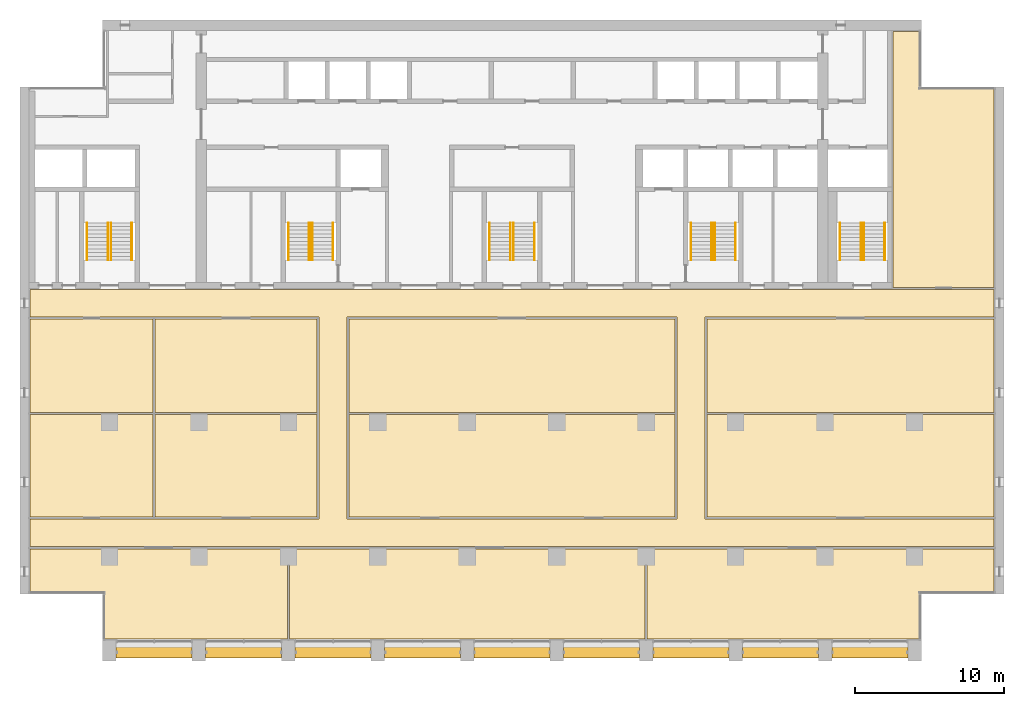
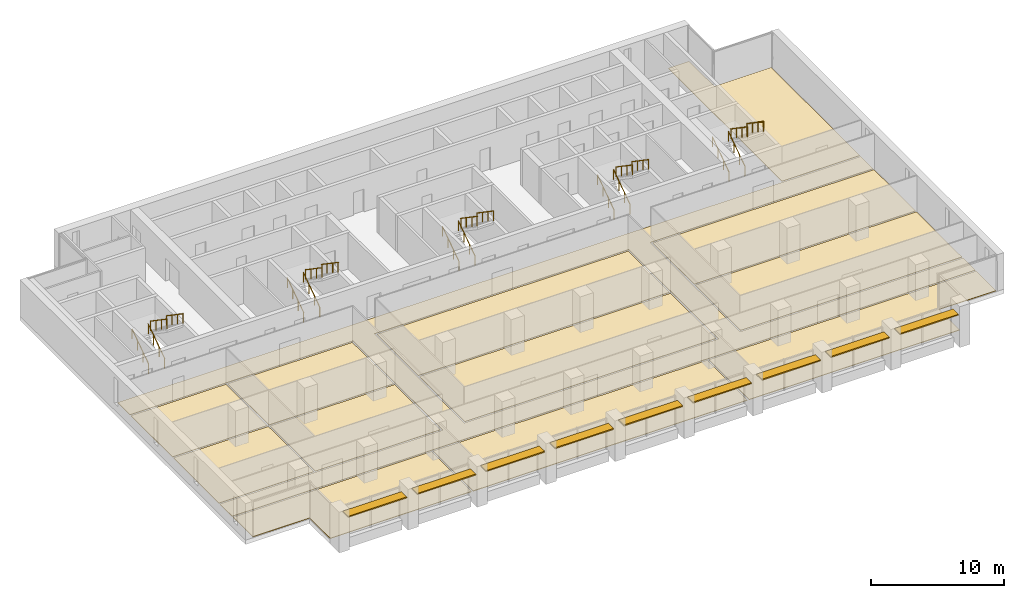
# One storey, part 16 of 16: 20 railings, 13 coverings, 9 shading devices, 5 elements without a shape of their own.
"""IFC4 building model written with IfcOpenShell, lengths in metres."""

from ifc_helpers import new_model, si_unit, direction, frame, origin, origin_2d, place, context, subcontext, project, spatial, polyline, rectangle, circle, outline, extrude, material, layer, layer_set, material_profile, profile_set, type_object, element, aggregate, save


model = new_model("IFC4")

# Units and contexts
model_context = context("Model", 3, precision=1e-05, world=origin(), true_north=direction((0.0, 1.0)))
body_context = subcontext(model_context, "Body", "Model", "MODEL_VIEW")
ifc_project = project(units=[si_unit("LENGTHUNIT", "METRE"), si_unit("AREAUNIT", "SQUARE_METRE"), si_unit("VOLUMEUNIT", "CUBIC_METRE"), si_unit("PLANEANGLEUNIT", "RADIAN"), si_unit("MASSUNIT", "GRAM", prefix="KILO")], contexts=[model_context])

# Site, building, storey
site_placement = place(None, origin())
site = spatial("IfcSite", under=ifc_project, at=site_placement, CompositionType="ELEMENT")
building_placement = place(site_placement, origin())
building = spatial("IfcBuilding", under=site, at=building_placement, Name="Calvaro Tower", CompositionType="ELEMENT")
storey_placement = place(building_placement, frame((0.0, 0.0, 181.75)))
storey = spatial("IfcBuildingStorey", under=building, at=storey_placement, Name="L45", CompositionType="ELEMENT", Elevation=181.75)

# Shading devices
ifc_material_1 = material(Name="Anodised aluminium", Category="aluminium")
ifc_material_profile = material_profile(ifc_material_1, rectangle(XDim=0.800048828125, YDim=0.10009765625, at=origin_2d()), Name="Brise-soleil blade 800 x 100")
ifc_profile_set = profile_set([ifc_material_profile], Name="Anodised aluminium")
shading_device_type = type_object("IfcShadingDeviceType", Name="Brise-soleil blade 800 x 100", PredefinedType="JALOUSIE", material=ifc_profile_set)
for number, where, z_axis, x_axis, name in (
    (1, (12.449951171875, 3.60009765625, 2.5), (1.0, 0.0, 0.0), (0.0, 1.0, 0.0), "Brise-soleil blade 1"),
    (2, (18.449951171875, 3.60009765625, 2.5), (1.0, 0.0, 0.0), (0.0, 1.0, 0.0), "Brise-soleil blade 2"),
    (3, (24.449951171875, 3.60009765625, 2.5), (1.0, 0.0, 0.0), (0.0, 1.0, 0.0), "Brise-soleil blade 3"),
    (4, (30.449951171875, 3.60009765625, 2.5), (1.0, 0.0, 0.0), (0.0, 1.0, 0.0), "Brise-soleil blade 4"),
    (5, (36.449951171875, 3.60009765625, 2.5), (1.0, 0.0, 0.0), (0.0, 1.0, 0.0), "Brise-soleil blade 5"),
    (6, (42.449951171875, 3.60009765625, 2.5), (1.0, 0.0, 0.0), (0.0, 1.0, 0.0), "Brise-soleil blade 6"),
    (7, (48.449951171875, 3.60009765625, 2.5), (1.0, 0.0, 0.0), (0.0, 1.0, 0.0), "Brise-soleil blade 7"),
    (8, (54.449951171875, 3.60009765625, 2.5), (1.0, 0.0, 0.0), (0.0, 1.0, 0.0), "Brise-soleil blade 8"),
    (9, (60.449951171875, 3.60009765625, 2.5), (1.0, 0.0, 0.0), (0.0, 1.0, 0.0), "Brise-soleil blade 9"),
):
    element("IfcShadingDevice", number, at=place(storey_placement, frame(where, z_axis=z_axis, x_axis=x_axis)), inside=storey, type_object=shading_device_type, Name=name, PredefinedType="JALOUSIE", context=body_context, shape_type="SweptSolid", body=[
        extrude(rectangle(XDim=0.800048828125, YDim=0.10009765625, at=origin_2d()), origin(), (0.0, 0.0, 1.0), 5.10009765625),
    ])

# Coverings
ifc_material_2 = material(Name="Cement screed with carpet tile finish")
ifc_layer = layer(ifc_material_2, 0.050048828125)
ifc_layer_set = layer_set([ifc_layer], Name="Cement screed with carpet tile finish")
covering_type = type_object("IfcCoveringType", Name="Floor finish 50", PredefinedType="FLOORING", material=ifc_layer_set)
covering_1_placement = place(storey_placement, origin())
element("IfcCovering", 10, at=covering_1_placement, inside=storey, type_object=covering_type, Name="Floor finish 26.01", PredefinedType="FLOORING", context=body_context, shape_type="SweptSolid", body=[
    extrude(outline(polyline([(6.669921875, 10.669921875), (6.669921875, 12.530029296875), (26.070068359375, 12.530029296875), (26.070068359375, 26.070068359375), (6.669921875, 26.070068359375), (6.669921875, 27.929931640625), (71.330078125, 27.929931640625), (71.330078125, 26.070068359375), (51.929931640625, 26.070068359375), (51.929931640625, 12.530029296875), (71.330078125, 12.530029296875), (71.330078125, 10.669921875), (6.669921875, 10.669921875)]), holes=[polyline([(50.070068359375, 12.530029296875), (50.070068359375, 26.070068359375), (27.929931640625, 26.070068359375), (27.929931640625, 12.530029296875), (50.070068359375, 12.530029296875)])]), origin(), (0.0, 0.0, 1.0), 0.050048828125),
])
covering_2_placement = place(storey_placement, origin())
element("IfcCovering", 11, at=covering_2_placement, inside=storey, type_object=covering_type, Name="Floor finish 26.04", PredefinedType="FLOORING", context=body_context, shape_type="SweptSolid", body=[
    extrude(outline(polyline([(23.929931640625, 10.530029296875), (23.929931640625, 4.469970703125), (11.6201171875, 4.469970703125), (11.6201171875, 7.570068359375), (6.669921875, 7.570068359375), (6.669921875, 10.530029296875), (23.929931640625, 10.530029296875)])), origin(), (0.0, 0.0, 1.0), 0.050048828125),
])
covering_3_placement = place(storey_placement, origin())
element("IfcCovering", 12, at=covering_3_placement, inside=storey, type_object=covering_type, Name="Floor finish 26.02", PredefinedType="FLOORING", context=body_context, shape_type="SweptSolid", body=[
    extrude(outline(polyline([(24.070068359375, 10.530029296875), (47.929931640625, 10.530029296875), (47.929931640625, 4.469970703125), (24.070068359375, 4.469970703125), (24.070068359375, 10.530029296875)])), origin(), (0.0, 0.0, 1.0), 0.050048828125),
])
covering_4_placement = place(storey_placement, origin())
element("IfcCovering", 13, at=covering_4_placement, inside=storey, type_object=covering_type, Name="Floor finish 26.03", PredefinedType="FLOORING", context=body_context, shape_type="SweptSolid", body=[
    extrude(outline(polyline([(71.330078125, 7.570068359375), (66.3798828125, 7.570068359375), (66.3798828125, 4.469970703125), (48.070068359375, 4.469970703125), (48.070068359375, 10.530029296875), (71.330078125, 10.530029296875), (71.330078125, 7.570068359375)])), origin(), (0.0, 0.0, 1.0), 0.050048828125),
])
covering_5_placement = place(storey_placement, origin())
element("IfcCovering", 14, at=covering_5_placement, inside=storey, type_object=covering_type, Name="Floor finish 26.05", PredefinedType="FLOORING", context=body_context, shape_type="SweptSolid", body=[
    extrude(outline(polyline([(14.929931640625, 19.530029296875), (14.929931640625, 12.669921875), (6.669921875, 12.669921875), (6.669921875, 19.530029296875), (14.929931640625, 19.530029296875)])), origin(), (0.0, 0.0, 1.0), 0.050048828125),
])
covering_6_placement = place(storey_placement, origin())
element("IfcCovering", 15, at=covering_6_placement, inside=storey, type_object=covering_type, Name="Floor finish 26.06", PredefinedType="FLOORING", context=body_context, shape_type="SweptSolid", body=[
    extrude(outline(polyline([(15.070068359375, 12.669921875), (15.070068359375, 19.530029296875), (25.929931640625, 19.530029296875), (25.929931640625, 12.669921875), (15.070068359375, 12.669921875)])), origin(), (0.0, 0.0, 1.0), 0.050048828125),
])
covering_7_placement = place(storey_placement, origin())
element("IfcCovering", 16, at=covering_7_placement, inside=storey, type_object=covering_type, Name="Floor finish 26.09", PredefinedType="FLOORING", context=body_context, shape_type="SweptSolid", body=[
    extrude(outline(polyline([(14.929931640625, 25.929931640625), (14.929931640625, 19.669921875), (6.669921875, 19.669921875), (6.669921875, 25.929931640625), (14.929931640625, 25.929931640625)])), origin(), (0.0, 0.0, 1.0), 0.050048828125),
])
covering_8_placement = place(storey_placement, origin())
element("IfcCovering", 17, at=covering_8_placement, inside=storey, type_object=covering_type, Name="Floor finish 26.10", PredefinedType="FLOORING", context=body_context, shape_type="SweptSolid", body=[
    extrude(outline(polyline([(15.070068359375, 19.669921875), (15.070068359375, 25.929931640625), (25.929931640625, 25.929931640625), (25.929931640625, 19.669921875), (15.070068359375, 19.669921875)])), origin(), (0.0, 0.0, 1.0), 0.050048828125),
])
covering_9_placement = place(storey_placement, origin())
element("IfcCovering", 18, at=covering_9_placement, inside=storey, type_object=covering_type, Name="Floor finish 26.07", PredefinedType="FLOORING", context=body_context, shape_type="SweptSolid", body=[
    extrude(outline(polyline([(28.070068359375, 12.669921875), (28.070068359375, 19.530029296875), (49.929931640625, 19.530029296875), (49.929931640625, 12.669921875), (28.070068359375, 12.669921875)])), origin(), (0.0, 0.0, 1.0), 0.050048828125),
])
covering_10_placement = place(storey_placement, origin())
element("IfcCovering", 19, at=covering_10_placement, inside=storey, type_object=covering_type, Name="Floor finish 26.11", PredefinedType="FLOORING", context=body_context, shape_type="SweptSolid", body=[
    extrude(outline(polyline([(28.070068359375, 19.669921875), (28.070068359375, 25.929931640625), (49.929931640625, 25.929931640625), (49.929931640625, 19.669921875), (28.070068359375, 19.669921875)])), origin(), (0.0, 0.0, 1.0), 0.050048828125),
])
covering_11_placement = place(storey_placement, origin())
element("IfcCovering", 20, at=covering_11_placement, inside=storey, type_object=covering_type, Name="Floor finish 26.08", PredefinedType="FLOORING", context=body_context, shape_type="SweptSolid", body=[
    extrude(outline(polyline([(71.330078125, 12.669921875), (52.070068359375, 12.669921875), (52.070068359375, 19.530029296875), (71.330078125, 19.530029296875), (71.330078125, 12.669921875)])), origin(), (0.0, 0.0, 1.0), 0.050048828125),
])
covering_12_placement = place(storey_placement, origin())
element("IfcCovering", 21, at=covering_12_placement, inside=storey, type_object=covering_type, Name="Floor finish 26.12", PredefinedType="FLOORING", context=body_context, shape_type="SweptSolid", body=[
    extrude(outline(polyline([(71.330078125, 19.669921875), (52.070068359375, 19.669921875), (52.070068359375, 25.929931640625), (71.330078125, 25.929931640625), (71.330078125, 19.669921875)])), origin(), (0.0, 0.0, 1.0), 0.050048828125),
])
covering_13_placement = place(storey_placement, origin())
element("IfcCovering", 22, at=covering_13_placement, inside=storey, type_object=covering_type, Name="Floor finish 26.13", PredefinedType="FLOORING", context=body_context, shape_type="SweptSolid", body=[
    extrude(outline(polyline([(71.330078125, 28.070068359375), (64.570068359375, 28.070068359375), (64.570068359375, 45.22998046875), (66.3798828125, 45.22998046875), (66.3798828125, 41.429931640625), (71.330078125, 41.429931640625), (71.330078125, 28.070068359375)])), origin(), (0.0, 0.0, 1.0), 0.050048828125),
])

# Stair, railings
ifc_material_3 = material(Name="Concrete C40/50", Category="concrete")
stair_type = type_object("IfcStairType", Name="Exit stair 1400 2 flights", PredefinedType="HALF_TURN_STAIR", material=ifc_material_3)
stair_1_placement = place(storey_placement, origin())
stair_1 = element("IfcStair", 23, at=stair_1_placement, inside=storey, type_object=stair_type, Name="Exit stair S1", PredefinedType="HALF_TURN_STAIR")
ifc_material_4 = material(Name="Stainless steel", Category="steel")
railing_type = type_object("IfcRailingType", Name="Stair handrail", PredefinedType="HANDRAIL", material=ifc_material_4)
railing_1_placement = place(storey_placement, frame((11.89990234375, 29.89990234375, 0.17041015625)))
railing_1 = element("IfcRailing", 24, at=railing_1_placement, type_object=railing_type, Name="Exit stair 1 handrail", PredefinedType="HANDRAIL", context=body_context, shape_type="SweptSolid", body=[
    extrude(circle(Radius=0.02392578125, at=origin_2d()), frame((0.0, 0.0, 0.8759765625), z_axis=(0.0, 0.826220514629, 0.563346839174), x_axis=(-1.0, 0.0, 0.0)), (0.0, 0.0, 1.0), 3.02587890625),
    extrude(circle(Radius=0.02099609375, at=origin_2d()), frame((0.0, 0.017333984375, 0.01171875)), (0.0, 0.0, 1.0), 0.851806640625),
    extrude(circle(Radius=0.02099609375, at=origin_2d()), frame((0.0, 0.833251953125, 0.568115234375)), (0.0, 0.0, 1.0), 0.851806640625),
    extrude(circle(Radius=0.02099609375, at=origin_2d()), frame((0.0, 1.666748046875, 1.136474609375)), (0.0, 0.0, 1.0), 0.851806640625),
    extrude(circle(Radius=0.02099609375, at=origin_2d()), frame((0.0, 2.482666015625, 1.69287109375)), (0.0, 0.0, 1.0), 0.851806640625),
])
railing_2_placement = place(storey_placement, frame((10.5, 29.89990234375, 0.17041015625)))
railing_2 = element("IfcRailing", 25, at=railing_2_placement, type_object=railing_type, Name="Exit stair 1 handrail", PredefinedType="HANDRAIL", context=body_context, shape_type="SweptSolid", body=[
    extrude(circle(Radius=0.02392578125, at=origin_2d()), frame((0.0, 0.0, 0.8759765625), z_axis=(0.0, 0.826220514629, 0.563346839174), x_axis=(-1.0, 0.0, 0.0)), (0.0, 0.0, 1.0), 3.02587890625),
    extrude(circle(Radius=0.02099609375, at=origin_2d()), frame((0.0, 0.017333984375, 0.01171875)), (0.0, 0.0, 1.0), 0.851806640625),
    extrude(circle(Radius=0.02099609375, at=origin_2d()), frame((0.0, 0.833251953125, 0.568115234375)), (0.0, 0.0, 1.0), 0.851806640625),
    extrude(circle(Radius=0.02099609375, at=origin_2d()), frame((0.0, 1.666748046875, 1.136474609375)), (0.0, 0.0, 1.0), 0.851806640625),
    extrude(circle(Radius=0.02099609375, at=origin_2d()), frame((0.0, 2.482666015625, 1.69287109375)), (0.0, 0.0, 1.0), 0.851806640625),
])
railing_3_placement = place(storey_placement, frame((12.10009765625, 32.39990234375, 2.04541015625)))
railing_3 = element("IfcRailing", 26, at=railing_3_placement, type_object=railing_type, Name="Exit stair 1 handrail", PredefinedType="HANDRAIL", context=body_context, shape_type="SweptSolid", body=[
    extrude(circle(Radius=0.02392578125, at=origin_2d()), frame((0.0, 0.0, 0.8759765625), z_axis=(0.0, -0.826220514629, 0.563346839174), x_axis=(1.0, 0.0, 0.0)), (0.0, 0.0, 1.0), 3.02587890625),
    extrude(circle(Radius=0.02099609375, at=origin_2d()), frame((0.0, -0.017333984375, 0.01171875)), (0.0, 0.0, 1.0), 0.851806640625),
    extrude(circle(Radius=0.02099609375, at=origin_2d()), frame((0.0, -0.833251953125, 0.568115234375)), (0.0, 0.0, 1.0), 0.851806640625),
    extrude(circle(Radius=0.02099609375, at=origin_2d()), frame((0.0, -1.666748046875, 1.136474609375)), (0.0, 0.0, 1.0), 0.851806640625),
    extrude(circle(Radius=0.02099609375, at=origin_2d()), frame((0.0, -2.482666015625, 1.69287109375)), (0.0, 0.0, 1.0), 0.851806640625),
])
railing_4_placement = place(storey_placement, frame((13.5, 32.39990234375, 2.04541015625)))
railing_4 = element("IfcRailing", 27, at=railing_4_placement, type_object=railing_type, Name="Exit stair 1 handrail", PredefinedType="HANDRAIL", context=body_context, shape_type="SweptSolid", body=[
    extrude(circle(Radius=0.02392578125, at=origin_2d()), frame((0.0, 0.0, 0.8759765625), z_axis=(0.0, -0.826220514629, 0.563346839174), x_axis=(1.0, 0.0, 0.0)), (0.0, 0.0, 1.0), 3.02587890625),
    extrude(circle(Radius=0.02099609375, at=origin_2d()), frame((0.0, -0.017333984375, 0.01171875)), (0.0, 0.0, 1.0), 0.851806640625),
    extrude(circle(Radius=0.02099609375, at=origin_2d()), frame((0.0, -0.833251953125, 0.568115234375)), (0.0, 0.0, 1.0), 0.851806640625),
    extrude(circle(Radius=0.02099609375, at=origin_2d()), frame((0.0, -1.666748046875, 1.136474609375)), (0.0, 0.0, 1.0), 0.851806640625),
    extrude(circle(Radius=0.02099609375, at=origin_2d()), frame((0.0, -2.482666015625, 1.69287109375)), (0.0, 0.0, 1.0), 0.851806640625),
])
aggregate(stair_1, [railing_1, railing_2, railing_3, railing_4])

stair_2_placement = place(storey_placement, origin())
stair_2 = element("IfcStair", 28, at=stair_2_placement, inside=storey, type_object=stair_type, Name="Exit stair S2", PredefinedType="HALF_TURN_STAIR")
railing_5_placement = place(storey_placement, frame((25.39990234375, 29.89990234375, 0.17041015625)))
railing_5 = element("IfcRailing", 29, at=railing_5_placement, type_object=railing_type, Name="Exit stair 2 handrail", PredefinedType="HANDRAIL", context=body_context, shape_type="SweptSolid", body=[
    extrude(circle(Radius=0.02392578125, at=origin_2d()), frame((0.0, 0.0, 0.8759765625), z_axis=(0.0, 0.826220514629, 0.563346839174), x_axis=(-1.0, 0.0, 0.0)), (0.0, 0.0, 1.0), 3.02587890625),
    extrude(circle(Radius=0.02099609375, at=origin_2d()), frame((0.0, 0.017333984375, 0.01171875)), (0.0, 0.0, 1.0), 0.851806640625),
    extrude(circle(Radius=0.02099609375, at=origin_2d()), frame((0.0, 0.833251953125, 0.568115234375)), (0.0, 0.0, 1.0), 0.851806640625),
    extrude(circle(Radius=0.02099609375, at=origin_2d()), frame((0.0, 1.666748046875, 1.136474609375)), (0.0, 0.0, 1.0), 0.851806640625),
    extrude(circle(Radius=0.02099609375, at=origin_2d()), frame((0.0, 2.482666015625, 1.69287109375)), (0.0, 0.0, 1.0), 0.851806640625),
])
railing_6_placement = place(storey_placement, frame((24.0, 29.89990234375, 0.17041015625)))
railing_6 = element("IfcRailing", 30, at=railing_6_placement, type_object=railing_type, Name="Exit stair 2 handrail", PredefinedType="HANDRAIL", context=body_context, shape_type="SweptSolid", body=[
    extrude(circle(Radius=0.02392578125, at=origin_2d()), frame((0.0, 0.0, 0.8759765625), z_axis=(0.0, 0.826220514629, 0.563346839174), x_axis=(-1.0, 0.0, 0.0)), (0.0, 0.0, 1.0), 3.02587890625),
    extrude(circle(Radius=0.02099609375, at=origin_2d()), frame((0.0, 0.017333984375, 0.01171875)), (0.0, 0.0, 1.0), 0.851806640625),
    extrude(circle(Radius=0.02099609375, at=origin_2d()), frame((0.0, 0.833251953125, 0.568115234375)), (0.0, 0.0, 1.0), 0.851806640625),
    extrude(circle(Radius=0.02099609375, at=origin_2d()), frame((0.0, 1.666748046875, 1.136474609375)), (0.0, 0.0, 1.0), 0.851806640625),
    extrude(circle(Radius=0.02099609375, at=origin_2d()), frame((0.0, 2.482666015625, 1.69287109375)), (0.0, 0.0, 1.0), 0.851806640625),
])
railing_7_placement = place(storey_placement, frame((25.60009765625, 32.39990234375, 2.04541015625)))
railing_7 = element("IfcRailing", 31, at=railing_7_placement, type_object=railing_type, Name="Exit stair 2 handrail", PredefinedType="HANDRAIL", context=body_context, shape_type="SweptSolid", body=[
    extrude(circle(Radius=0.02392578125, at=origin_2d()), frame((0.0, 0.0, 0.8759765625), z_axis=(0.0, -0.826220514629, 0.563346839174), x_axis=(1.0, 0.0, 0.0)), (0.0, 0.0, 1.0), 3.02587890625),
    extrude(circle(Radius=0.02099609375, at=origin_2d()), frame((0.0, -0.017333984375, 0.01171875)), (0.0, 0.0, 1.0), 0.851806640625),
    extrude(circle(Radius=0.02099609375, at=origin_2d()), frame((0.0, -0.833251953125, 0.568115234375)), (0.0, 0.0, 1.0), 0.851806640625),
    extrude(circle(Radius=0.02099609375, at=origin_2d()), frame((0.0, -1.666748046875, 1.136474609375)), (0.0, 0.0, 1.0), 0.851806640625),
    extrude(circle(Radius=0.02099609375, at=origin_2d()), frame((0.0, -2.482666015625, 1.69287109375)), (0.0, 0.0, 1.0), 0.851806640625),
])
railing_8_placement = place(storey_placement, frame((27.0, 32.39990234375, 2.04541015625)))
railing_8 = element("IfcRailing", 32, at=railing_8_placement, type_object=railing_type, Name="Exit stair 2 handrail", PredefinedType="HANDRAIL", context=body_context, shape_type="SweptSolid", body=[
    extrude(circle(Radius=0.02392578125, at=origin_2d()), frame((0.0, 0.0, 0.8759765625), z_axis=(0.0, -0.826220514629, 0.563346839174), x_axis=(1.0, 0.0, 0.0)), (0.0, 0.0, 1.0), 3.02587890625),
    extrude(circle(Radius=0.02099609375, at=origin_2d()), frame((0.0, -0.017333984375, 0.01171875)), (0.0, 0.0, 1.0), 0.851806640625),
    extrude(circle(Radius=0.02099609375, at=origin_2d()), frame((0.0, -0.833251953125, 0.568115234375)), (0.0, 0.0, 1.0), 0.851806640625),
    extrude(circle(Radius=0.02099609375, at=origin_2d()), frame((0.0, -1.666748046875, 1.136474609375)), (0.0, 0.0, 1.0), 0.851806640625),
    extrude(circle(Radius=0.02099609375, at=origin_2d()), frame((0.0, -2.482666015625, 1.69287109375)), (0.0, 0.0, 1.0), 0.851806640625),
])
aggregate(stair_2, [railing_5, railing_6, railing_7, railing_8])

stair_3_placement = place(storey_placement, origin())
stair_3 = element("IfcStair", 33, at=stair_3_placement, inside=storey, type_object=stair_type, Name="Exit stair S3", PredefinedType="HALF_TURN_STAIR")
railing_9_placement = place(storey_placement, frame((38.89990234375, 29.89990234375, 0.17041015625)))
railing_9 = element("IfcRailing", 34, at=railing_9_placement, type_object=railing_type, Name="Exit stair 3 handrail", PredefinedType="HANDRAIL", context=body_context, shape_type="SweptSolid", body=[
    extrude(circle(Radius=0.02392578125, at=origin_2d()), frame((0.0, 0.0, 0.8759765625), z_axis=(0.0, 0.826220514629, 0.563346839174), x_axis=(-1.0, 0.0, 0.0)), (0.0, 0.0, 1.0), 3.02587890625),
    extrude(circle(Radius=0.02099609375, at=origin_2d()), frame((0.0, 0.017333984375, 0.01171875)), (0.0, 0.0, 1.0), 0.851806640625),
    extrude(circle(Radius=0.02099609375, at=origin_2d()), frame((0.0, 0.833251953125, 0.568115234375)), (0.0, 0.0, 1.0), 0.851806640625),
    extrude(circle(Radius=0.02099609375, at=origin_2d()), frame((0.0, 1.666748046875, 1.136474609375)), (0.0, 0.0, 1.0), 0.851806640625),
    extrude(circle(Radius=0.02099609375, at=origin_2d()), frame((0.0, 2.482666015625, 1.69287109375)), (0.0, 0.0, 1.0), 0.851806640625),
])
railing_10_placement = place(storey_placement, frame((37.5, 29.89990234375, 0.17041015625)))
railing_10 = element("IfcRailing", 35, at=railing_10_placement, type_object=railing_type, Name="Exit stair 3 handrail", PredefinedType="HANDRAIL", context=body_context, shape_type="SweptSolid", body=[
    extrude(circle(Radius=0.02392578125, at=origin_2d()), frame((0.0, 0.0, 0.8759765625), z_axis=(0.0, 0.826220514629, 0.563346839174), x_axis=(-1.0, 0.0, 0.0)), (0.0, 0.0, 1.0), 3.02587890625),
    extrude(circle(Radius=0.02099609375, at=origin_2d()), frame((0.0, 0.017333984375, 0.01171875)), (0.0, 0.0, 1.0), 0.851806640625),
    extrude(circle(Radius=0.02099609375, at=origin_2d()), frame((0.0, 0.833251953125, 0.568115234375)), (0.0, 0.0, 1.0), 0.851806640625),
    extrude(circle(Radius=0.02099609375, at=origin_2d()), frame((0.0, 1.666748046875, 1.136474609375)), (0.0, 0.0, 1.0), 0.851806640625),
    extrude(circle(Radius=0.02099609375, at=origin_2d()), frame((0.0, 2.482666015625, 1.69287109375)), (0.0, 0.0, 1.0), 0.851806640625),
])
railing_11_placement = place(storey_placement, frame((39.10009765625, 32.39990234375, 2.04541015625)))
railing_11 = element("IfcRailing", 36, at=railing_11_placement, type_object=railing_type, Name="Exit stair 3 handrail", PredefinedType="HANDRAIL", context=body_context, shape_type="SweptSolid", body=[
    extrude(circle(Radius=0.02392578125, at=origin_2d()), frame((0.0, 0.0, 0.8759765625), z_axis=(0.0, -0.826220514629, 0.563346839174), x_axis=(1.0, 0.0, 0.0)), (0.0, 0.0, 1.0), 3.02587890625),
    extrude(circle(Radius=0.02099609375, at=origin_2d()), frame((0.0, -0.017333984375, 0.01171875)), (0.0, 0.0, 1.0), 0.851806640625),
    extrude(circle(Radius=0.02099609375, at=origin_2d()), frame((0.0, -0.833251953125, 0.568115234375)), (0.0, 0.0, 1.0), 0.851806640625),
    extrude(circle(Radius=0.02099609375, at=origin_2d()), frame((0.0, -1.666748046875, 1.136474609375)), (0.0, 0.0, 1.0), 0.851806640625),
    extrude(circle(Radius=0.02099609375, at=origin_2d()), frame((0.0, -2.482666015625, 1.69287109375)), (0.0, 0.0, 1.0), 0.851806640625),
])
railing_12_placement = place(storey_placement, frame((40.5, 32.39990234375, 2.04541015625)))
railing_12 = element("IfcRailing", 37, at=railing_12_placement, type_object=railing_type, Name="Exit stair 3 handrail", PredefinedType="HANDRAIL", context=body_context, shape_type="SweptSolid", body=[
    extrude(circle(Radius=0.02392578125, at=origin_2d()), frame((0.0, 0.0, 0.8759765625), z_axis=(0.0, -0.826220514629, 0.563346839174), x_axis=(1.0, 0.0, 0.0)), (0.0, 0.0, 1.0), 3.02587890625),
    extrude(circle(Radius=0.02099609375, at=origin_2d()), frame((0.0, -0.017333984375, 0.01171875)), (0.0, 0.0, 1.0), 0.851806640625),
    extrude(circle(Radius=0.02099609375, at=origin_2d()), frame((0.0, -0.833251953125, 0.568115234375)), (0.0, 0.0, 1.0), 0.851806640625),
    extrude(circle(Radius=0.02099609375, at=origin_2d()), frame((0.0, -1.666748046875, 1.136474609375)), (0.0, 0.0, 1.0), 0.851806640625),
    extrude(circle(Radius=0.02099609375, at=origin_2d()), frame((0.0, -2.482666015625, 1.69287109375)), (0.0, 0.0, 1.0), 0.851806640625),
])
aggregate(stair_3, [railing_9, railing_10, railing_11, railing_12])

stair_4_placement = place(storey_placement, origin())
stair_4 = element("IfcStair", 38, at=stair_4_placement, inside=storey, type_object=stair_type, Name="Exit stair S4", PredefinedType="HALF_TURN_STAIR")
railing_13_placement = place(storey_placement, frame((52.39990234375, 29.89990234375, 0.17041015625)))
railing_13 = element("IfcRailing", 39, at=railing_13_placement, type_object=railing_type, Name="Exit stair 4 handrail", PredefinedType="HANDRAIL", context=body_context, shape_type="SweptSolid", body=[
    extrude(circle(Radius=0.02392578125, at=origin_2d()), frame((0.0, 0.0, 0.8759765625), z_axis=(0.0, 0.826220514629, 0.563346839174), x_axis=(-1.0, 0.0, 0.0)), (0.0, 0.0, 1.0), 3.02587890625),
    extrude(circle(Radius=0.02099609375, at=origin_2d()), frame((0.0, 0.017333984375, 0.01171875)), (0.0, 0.0, 1.0), 0.851806640625),
    extrude(circle(Radius=0.02099609375, at=origin_2d()), frame((0.0, 0.833251953125, 0.568115234375)), (0.0, 0.0, 1.0), 0.851806640625),
    extrude(circle(Radius=0.02099609375, at=origin_2d()), frame((0.0, 1.666748046875, 1.136474609375)), (0.0, 0.0, 1.0), 0.851806640625),
    extrude(circle(Radius=0.02099609375, at=origin_2d()), frame((0.0, 2.482666015625, 1.69287109375)), (0.0, 0.0, 1.0), 0.851806640625),
])
railing_14_placement = place(storey_placement, frame((51.0, 29.89990234375, 0.17041015625)))
railing_14 = element("IfcRailing", 40, at=railing_14_placement, type_object=railing_type, Name="Exit stair 4 handrail", PredefinedType="HANDRAIL", context=body_context, shape_type="SweptSolid", body=[
    extrude(circle(Radius=0.02392578125, at=origin_2d()), frame((0.0, 0.0, 0.8759765625), z_axis=(0.0, 0.826220514629, 0.563346839174), x_axis=(-1.0, 0.0, 0.0)), (0.0, 0.0, 1.0), 3.02587890625),
    extrude(circle(Radius=0.02099609375, at=origin_2d()), frame((0.0, 0.017333984375, 0.01171875)), (0.0, 0.0, 1.0), 0.851806640625),
    extrude(circle(Radius=0.02099609375, at=origin_2d()), frame((0.0, 0.833251953125, 0.568115234375)), (0.0, 0.0, 1.0), 0.851806640625),
    extrude(circle(Radius=0.02099609375, at=origin_2d()), frame((0.0, 1.666748046875, 1.136474609375)), (0.0, 0.0, 1.0), 0.851806640625),
    extrude(circle(Radius=0.02099609375, at=origin_2d()), frame((0.0, 2.482666015625, 1.69287109375)), (0.0, 0.0, 1.0), 0.851806640625),
])
railing_15_placement = place(storey_placement, frame((52.60009765625, 32.39990234375, 2.04541015625)))
railing_15 = element("IfcRailing", 41, at=railing_15_placement, type_object=railing_type, Name="Exit stair 4 handrail", PredefinedType="HANDRAIL", context=body_context, shape_type="SweptSolid", body=[
    extrude(circle(Radius=0.02392578125, at=origin_2d()), frame((0.0, 0.0, 0.8759765625), z_axis=(0.0, -0.826220514629, 0.563346839174), x_axis=(1.0, 0.0, 0.0)), (0.0, 0.0, 1.0), 3.02587890625),
    extrude(circle(Radius=0.02099609375, at=origin_2d()), frame((0.0, -0.017333984375, 0.01171875)), (0.0, 0.0, 1.0), 0.851806640625),
    extrude(circle(Radius=0.02099609375, at=origin_2d()), frame((0.0, -0.833251953125, 0.568115234375)), (0.0, 0.0, 1.0), 0.851806640625),
    extrude(circle(Radius=0.02099609375, at=origin_2d()), frame((0.0, -1.666748046875, 1.136474609375)), (0.0, 0.0, 1.0), 0.851806640625),
    extrude(circle(Radius=0.02099609375, at=origin_2d()), frame((0.0, -2.482666015625, 1.69287109375)), (0.0, 0.0, 1.0), 0.851806640625),
])
railing_16_placement = place(storey_placement, frame((54.0, 32.39990234375, 2.04541015625)))
railing_16 = element("IfcRailing", 42, at=railing_16_placement, type_object=railing_type, Name="Exit stair 4 handrail", PredefinedType="HANDRAIL", context=body_context, shape_type="SweptSolid", body=[
    extrude(circle(Radius=0.02392578125, at=origin_2d()), frame((0.0, 0.0, 0.8759765625), z_axis=(0.0, -0.826220514629, 0.563346839174), x_axis=(1.0, 0.0, 0.0)), (0.0, 0.0, 1.0), 3.02587890625),
    extrude(circle(Radius=0.02099609375, at=origin_2d()), frame((0.0, -0.017333984375, 0.01171875)), (0.0, 0.0, 1.0), 0.851806640625),
    extrude(circle(Radius=0.02099609375, at=origin_2d()), frame((0.0, -0.833251953125, 0.568115234375)), (0.0, 0.0, 1.0), 0.851806640625),
    extrude(circle(Radius=0.02099609375, at=origin_2d()), frame((0.0, -1.666748046875, 1.136474609375)), (0.0, 0.0, 1.0), 0.851806640625),
    extrude(circle(Radius=0.02099609375, at=origin_2d()), frame((0.0, -2.482666015625, 1.69287109375)), (0.0, 0.0, 1.0), 0.851806640625),
])
aggregate(stair_4, [railing_13, railing_14, railing_15, railing_16])

stair_5_placement = place(storey_placement, origin())
stair_5 = element("IfcStair", 43, at=stair_5_placement, inside=storey, type_object=stair_type, Name="Exit stair S5", PredefinedType="HALF_TURN_STAIR")
railing_17_placement = place(storey_placement, frame((62.39990234375, 29.89990234375, 0.17041015625)))
railing_17 = element("IfcRailing", 44, at=railing_17_placement, type_object=railing_type, Name="Exit stair 5 handrail", PredefinedType="HANDRAIL", context=body_context, shape_type="SweptSolid", body=[
    extrude(circle(Radius=0.02392578125, at=origin_2d()), frame((0.0, 0.0, 0.8759765625), z_axis=(0.0, 0.826220514629, 0.563346839174), x_axis=(-1.0, 0.0, 0.0)), (0.0, 0.0, 1.0), 3.02587890625),
    extrude(circle(Radius=0.02099609375, at=origin_2d()), frame((0.0, 0.017333984375, 0.01171875)), (0.0, 0.0, 1.0), 0.851806640625),
    extrude(circle(Radius=0.02099609375, at=origin_2d()), frame((0.0, 0.833251953125, 0.568115234375)), (0.0, 0.0, 1.0), 0.851806640625),
    extrude(circle(Radius=0.02099609375, at=origin_2d()), frame((0.0, 1.666748046875, 1.136474609375)), (0.0, 0.0, 1.0), 0.851806640625),
    extrude(circle(Radius=0.02099609375, at=origin_2d()), frame((0.0, 2.482666015625, 1.69287109375)), (0.0, 0.0, 1.0), 0.851806640625),
])
railing_18_placement = place(storey_placement, frame((61.0, 29.89990234375, 0.17041015625)))
railing_18 = element("IfcRailing", 45, at=railing_18_placement, type_object=railing_type, Name="Exit stair 5 handrail", PredefinedType="HANDRAIL", context=body_context, shape_type="SweptSolid", body=[
    extrude(circle(Radius=0.02392578125, at=origin_2d()), frame((0.0, 0.0, 0.8759765625), z_axis=(0.0, 0.826220514629, 0.563346839174), x_axis=(-1.0, 0.0, 0.0)), (0.0, 0.0, 1.0), 3.02587890625),
    extrude(circle(Radius=0.02099609375, at=origin_2d()), frame((0.0, 0.017333984375, 0.01171875)), (0.0, 0.0, 1.0), 0.851806640625),
    extrude(circle(Radius=0.02099609375, at=origin_2d()), frame((0.0, 0.833251953125, 0.568115234375)), (0.0, 0.0, 1.0), 0.851806640625),
    extrude(circle(Radius=0.02099609375, at=origin_2d()), frame((0.0, 1.666748046875, 1.136474609375)), (0.0, 0.0, 1.0), 0.851806640625),
    extrude(circle(Radius=0.02099609375, at=origin_2d()), frame((0.0, 2.482666015625, 1.69287109375)), (0.0, 0.0, 1.0), 0.851806640625),
])
railing_19_placement = place(storey_placement, frame((62.60009765625, 32.39990234375, 2.04541015625)))
railing_19 = element("IfcRailing", 46, at=railing_19_placement, type_object=railing_type, Name="Exit stair 5 handrail", PredefinedType="HANDRAIL", context=body_context, shape_type="SweptSolid", body=[
    extrude(circle(Radius=0.02392578125, at=origin_2d()), frame((0.0, 0.0, 0.8759765625), z_axis=(0.0, -0.826220514629, 0.563346839174), x_axis=(1.0, 0.0, 0.0)), (0.0, 0.0, 1.0), 3.02587890625),
    extrude(circle(Radius=0.02099609375, at=origin_2d()), frame((0.0, -0.017333984375, 0.01171875)), (0.0, 0.0, 1.0), 0.851806640625),
    extrude(circle(Radius=0.02099609375, at=origin_2d()), frame((0.0, -0.833251953125, 0.568115234375)), (0.0, 0.0, 1.0), 0.851806640625),
    extrude(circle(Radius=0.02099609375, at=origin_2d()), frame((0.0, -1.666748046875, 1.136474609375)), (0.0, 0.0, 1.0), 0.851806640625),
    extrude(circle(Radius=0.02099609375, at=origin_2d()), frame((0.0, -2.482666015625, 1.69287109375)), (0.0, 0.0, 1.0), 0.851806640625),
])
railing_20_placement = place(storey_placement, frame((64.0, 32.39990234375, 2.04541015625)))
railing_20 = element("IfcRailing", 47, at=railing_20_placement, type_object=railing_type, Name="Exit stair 5 handrail", PredefinedType="HANDRAIL", context=body_context, shape_type="SweptSolid", body=[
    extrude(circle(Radius=0.02392578125, at=origin_2d()), frame((0.0, 0.0, 0.8759765625), z_axis=(0.0, -0.826220514629, 0.563346839174), x_axis=(1.0, 0.0, 0.0)), (0.0, 0.0, 1.0), 3.02587890625),
    extrude(circle(Radius=0.02099609375, at=origin_2d()), frame((0.0, -0.017333984375, 0.01171875)), (0.0, 0.0, 1.0), 0.851806640625),
    extrude(circle(Radius=0.02099609375, at=origin_2d()), frame((0.0, -0.833251953125, 0.568115234375)), (0.0, 0.0, 1.0), 0.851806640625),
    extrude(circle(Radius=0.02099609375, at=origin_2d()), frame((0.0, -1.666748046875, 1.136474609375)), (0.0, 0.0, 1.0), 0.851806640625),
    extrude(circle(Radius=0.02099609375, at=origin_2d()), frame((0.0, -2.482666015625, 1.69287109375)), (0.0, 0.0, 1.0), 0.851806640625),
])
aggregate(stair_5, [railing_17, railing_18, railing_19, railing_20])

save(model, "model.ifc")
